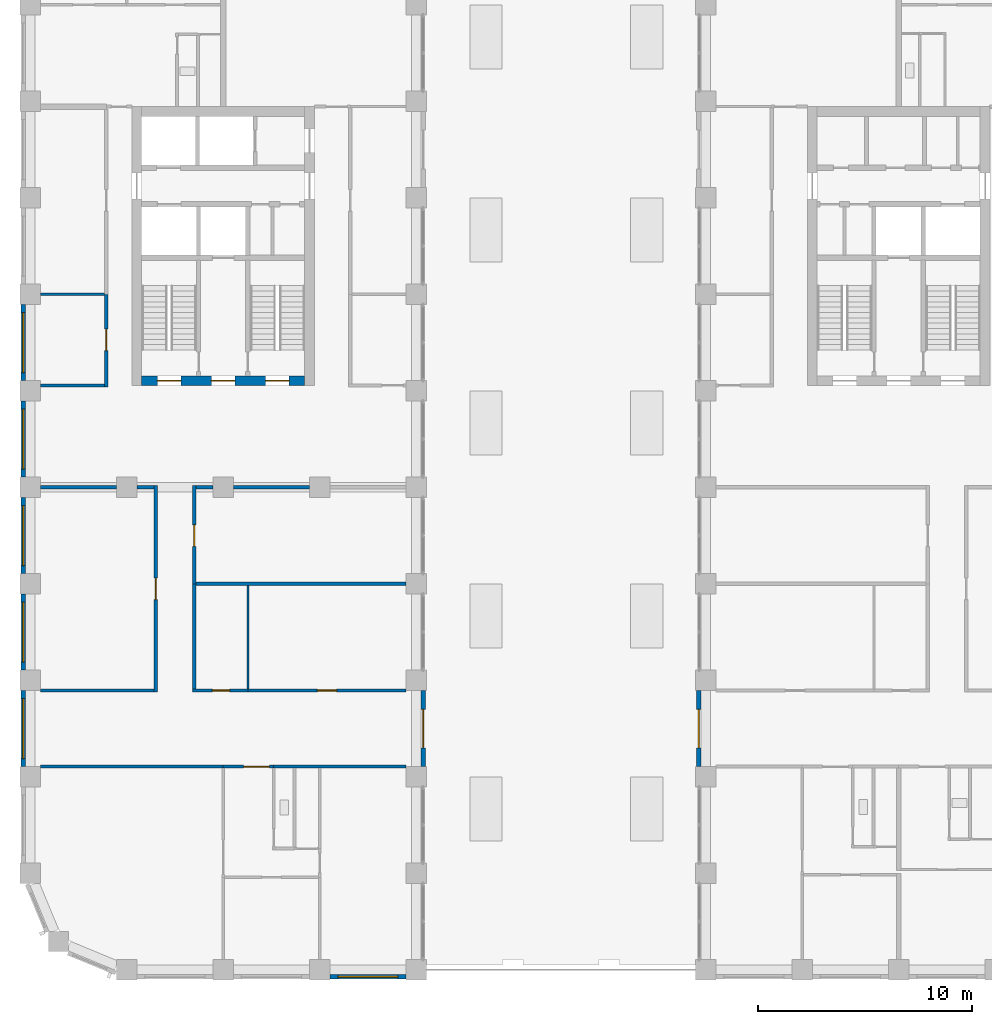
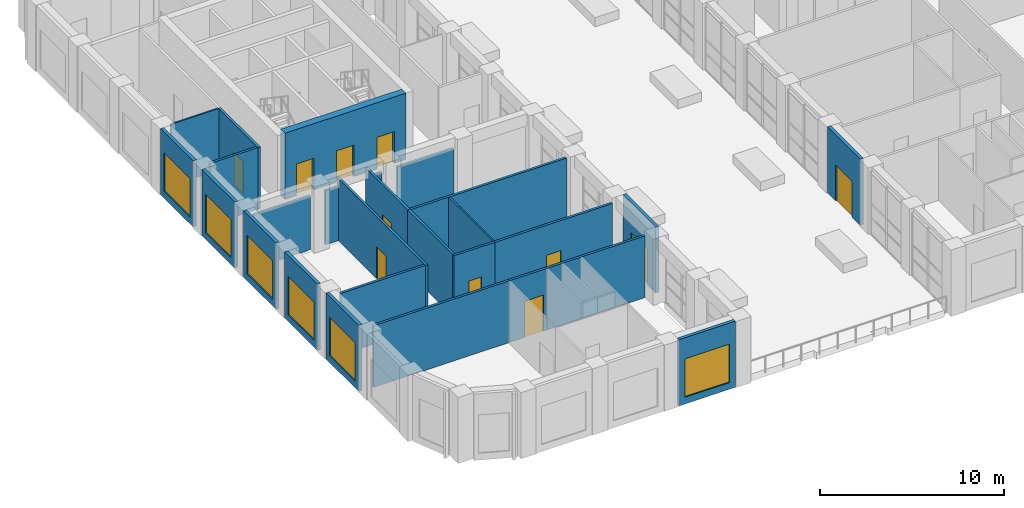
# One storey, part 10 of 20: 27 walls, 11 doors, 6 windows, 17 openings.
"""IFC4 building model written with IfcOpenShell, lengths in metres."""

from ifc_helpers import new_model, si_unit, direction, frame, frame_2d, origin, place, context, subcontext, project, spatial, rectangle, extrude, material, layer, layer_set, type_object, element, fill, save


model = new_model("IFC4")

# Units and contexts
model_context = context("Model", 3, precision=1e-05, world=origin(), true_north=direction((0.0, 1.0)))
body_context = subcontext(model_context, "Body", "Model", "MODEL_VIEW")
ifc_project = project(units=[si_unit("LENGTHUNIT", "METRE"), si_unit("AREAUNIT", "SQUARE_METRE"), si_unit("VOLUMEUNIT", "CUBIC_METRE"), si_unit("PLANEANGLEUNIT", "RADIAN"), si_unit("MASSUNIT", "GRAM", prefix="KILO")], contexts=[model_context])

# Site, building, storey
site_placement = place(None, origin())
site = spatial("IfcSite", under=ifc_project, at=site_placement, CompositionType="ELEMENT")
building_placement = place(site_placement, origin())
building = spatial("IfcBuilding", under=site, at=building_placement, Name="Girih Gate Residences", CompositionType="ELEMENT")
storey_placement = place(building_placement, frame((0.0, 0.0, 146.199951171875)))
storey = spatial("IfcBuildingStorey", under=building, at=storey_placement, Name="L41", CompositionType="ELEMENT", Elevation=146.199951171875)

# Wall
ifc_material_1 = material(Name="Gypsum board on steel studs", Category="steel")
ifc_layer_1 = layer(ifc_material_1, 0.14990234375)
ifc_layer_set_1 = layer_set([ifc_layer_1], Name="Compartment wall 150 mm")
wall_type_1 = type_object("IfcWallType", Name="Compartment wall 150 mm", PredefinedType="PARTITIONING", material=ifc_layer_set_1)
wall_1_placement = place(storey_placement, frame((11.35009765625, 9.47509765625, 0.0), z_axis=(0.0, 0.0, 1.0), x_axis=(1.0, 0.0, 0.0)))
element("IfcWall", 1, at=wall_1_placement, inside=storey, type_object=wall_type_1, Name="L41 partition", PredefinedType="PARTITIONING", context=body_context, shape_type="SweptSolid", body=[
    extrude(rectangle(XDim=6.1748046875, YDim=0.14990234375, at=frame_2d((3.08740234375, 0.0))), origin(), (0.0, 0.0, 1.0), 4.10009765625),
])

# Wall, opening, door
wall_2_placement = place(storey_placement, frame((11.35009765625, 9.47509765625, 0.0), z_axis=(0.0, 0.0, 1.0), x_axis=(-1.0, 0.0, 0.0)))
wall_2 = element("IfcWall", 2, at=wall_2_placement, inside=storey, type_object=wall_type_1, Name="L41 partition", PredefinedType="PARTITIONING", context=body_context, shape_type="SweptSolid", body=[
    extrude(rectangle(XDim=2.35009765625, YDim=0.14990234375, at=frame_2d((1.175048828125, 0.0))), origin(), (0.0, 0.0, 1.0), 4.10009765625),
])
opening_1_placement = place(wall_2_placement, frame((0.199951171875, 0.0, 0.0)))
opening_1 = element("IfcOpeningElement", 3, at=opening_1_placement, cuts=wall_2, Name="Opening A41-006", PredefinedType="OPENING", context=body_context, shape_type="SweptSolid", body=[
    extrude(rectangle(XDim=1.199951171875, YDim=2.39990234375, at=frame_2d((0.60009765625, 1.199951171875))), frame((0.0, 0.0849609375, 0.0), z_axis=(0.0, -1.0, 0.0), x_axis=(1.0, 0.0, 0.0)), (0.0, 0.0, 1.0), 0.169921875),
])
ifc_material_2 = material(Name="Timber, fire-rated core", Category="wood")
door_type_1 = type_object("IfcDoorType", Name="Villa entrance door 1200x2400 FD30S", OperationType="NOTDEFINED", PredefinedType="DOOR", material=ifc_material_2)
door_1_placement = place(opening_1_placement, origin())
door_1 = element("IfcDoor", 4, at=door_1_placement, inside=storey, type_object=door_type_1, Name="Door A41-006", OperationType="SINGLE_SWING_LEFT", OverallHeight=2.39990234375, OverallWidth=1.199951171875, PredefinedType="DOOR", context=body_context, shape_type="SweptSolid", body=[
    extrude(rectangle(XDim=1.199951171875, YDim=2.39990234375, at=frame_2d((0.60009765625, 1.199951171875))), frame((0.0, 0.02490234375, 0.0), z_axis=(0.0, -1.0, 0.0), x_axis=(1.0, 0.0, 0.0)), (0.0, 0.0, 1.0), 0.050048828125),
])
fill(opening_1, door_1)

# Walls
wall_3_placement = place(storey_placement, frame((0.47509765625, 9.47509765625, 0.0), z_axis=(0.0, 0.0, 1.0), x_axis=(1.0, 0.0, 0.0)))
element("IfcWall", 5, at=wall_3_placement, inside=storey, type_object=wall_type_1, Name="L41 partition", PredefinedType="PARTITIONING", context=body_context, shape_type="SweptSolid", body=[
    extrude(rectangle(XDim=8.52490234375, YDim=0.14990234375, at=frame_2d((4.262451171875, 0.0))), origin(), (0.0, 0.0, 1.0), 4.10009765625),
])
wall_4_placement = place(storey_placement, frame((7.72509765625, 22.5, 0.0), z_axis=(0.0, 0.0, 1.0), x_axis=(1.0, 0.0, 0.0)))
element("IfcWall", 6, at=wall_4_placement, inside=storey, type_object=wall_type_1, Name="L41 partition", PredefinedType="PARTITIONING", context=body_context, shape_type="SweptSolid", body=[
    extrude(rectangle(XDim=0.7998046875, YDim=0.14990234375, at=frame_2d((0.39990234375, 0.0))), origin(), (0.0, 0.0, 1.0), 3.580078125),
])
wall_5_placement = place(storey_placement, frame((9.47509765625, 22.5, 0.0), z_axis=(0.0, 0.0, 1.0), x_axis=(1.0, 0.0, 0.0)))
element("IfcWall", 7, at=wall_5_placement, inside=storey, type_object=wall_type_1, Name="L41 partition", PredefinedType="PARTITIONING", context=body_context, shape_type="SweptSolid", body=[
    extrude(rectangle(XDim=3.5498046875, YDim=0.14990234375, at=frame_2d((1.77490234375, 0.0))), origin(), (0.0, 0.0, 1.0), 3.580078125),
])

# Wall, opening, door
wall_6_placement = place(storey_placement, frame((7.64990234375, 22.574951171875, 0.0), z_axis=(0.0, 0.0, 1.0), x_axis=(0.0, -1.0, 0.0)))
wall_6 = element("IfcWall", 8, at=wall_6_placement, inside=storey, type_object=wall_type_1, Name="L41 partition", PredefinedType="PARTITIONING", context=body_context, shape_type="SweptSolid", body=[
    extrude(rectangle(XDim=4.574951171875, YDim=0.14990234375, at=frame_2d((2.28759765625, 0.0))), origin(), (0.0, 0.0, 1.0), 4.10009765625),
])
opening_2_placement = place(wall_6_placement, frame((1.824951171875, 0.0, 0.0)))
opening_2 = element("IfcOpeningElement", 9, at=opening_2_placement, cuts=wall_6, Name="Opening A41-028", PredefinedType="OPENING", context=body_context, shape_type="SweptSolid", body=[
    extrude(rectangle(XDim=1.0, YDim=2.10009765625, at=frame_2d((0.5, 1.050048828125))), frame((0.0, 0.0849609375, 0.0), z_axis=(0.0, -1.0, 0.0), x_axis=(1.0, 0.0, 0.0)), (0.0, 0.0, 1.0), 0.169921875),
])
door_type_2 = type_object("IfcDoorType", Name="Amenity room door 1000x2100 FD30S", OperationType="NOTDEFINED", PredefinedType="DOOR", material=ifc_material_2)
door_2_placement = place(opening_2_placement, origin())
door_2 = element("IfcDoor", 10, at=door_2_placement, inside=storey, type_object=door_type_2, Name="Door A41-028", OperationType="SINGLE_SWING_RIGHT", OverallHeight=2.10009765625, OverallWidth=1.0, PredefinedType="DOOR", context=body_context, shape_type="SweptSolid", body=[
    extrude(rectangle(XDim=1.0, YDim=2.10009765625, at=frame_2d((0.5, 1.050048828125))), frame((0.0, 0.02490234375, 0.0), z_axis=(0.0, -1.0, 0.0), x_axis=(1.0, 0.0, 0.0)), (0.0, 0.0, 1.0), 0.050048828125),
])
fill(opening_2, door_2)

# Wall
wall_7_placement = place(storey_placement, frame((7.72509765625, 18.0, 0.0), z_axis=(0.0, 0.0, 1.0), x_axis=(1.0, 0.0, 0.0)))
element("IfcWall", 11, at=wall_7_placement, inside=storey, type_object=wall_type_1, Name="L41 partition", PredefinedType="PARTITIONING", context=body_context, shape_type="SweptSolid", body=[
    extrude(rectangle(XDim=9.7998046875, YDim=0.14990234375, at=frame_2d((4.89990234375, 0.0))), origin(), (0.0, 0.0, 1.0), 4.10009765625),
])

# Wall, opening, door
wall_8_placement = place(storey_placement, frame((10.14990234375, 13.02490234375, 0.0), z_axis=(0.0, 0.0, 1.0), x_axis=(1.0, 0.0, 0.0)))
wall_8 = element("IfcWall", 12, at=wall_8_placement, inside=storey, type_object=wall_type_1, Name="L41 partition", PredefinedType="PARTITIONING", context=body_context, shape_type="SweptSolid", body=[
    extrude(rectangle(XDim=7.375, YDim=0.14990234375, at=frame_2d((3.6875, 0.0))), origin(), (0.0, 0.0, 1.0), 4.10009765625),
])
opening_3_placement = place(wall_8_placement, frame((3.237548828125, 0.0, 0.0)))
opening_3 = element("IfcOpeningElement", 13, at=opening_3_placement, cuts=wall_8, Name="Opening A41-031", PredefinedType="OPENING", context=body_context, shape_type="SweptSolid", body=[
    extrude(rectangle(XDim=0.89990234375, YDim=2.10009765625, at=frame_2d((0.449951171875, 1.050048828125))), frame((0.0, 0.0849609375, 0.0), z_axis=(0.0, -1.0, 0.0), x_axis=(1.0, 0.0, 0.0)), (0.0, 0.0, 1.0), 0.169921875),
])
ifc_material_3 = material(Name="Timber", Category="wood")
door_type_3 = type_object("IfcDoorType", Name="Service room door 900x2100", OperationType="NOTDEFINED", PredefinedType="DOOR", material=ifc_material_3)
door_3_placement = place(opening_3_placement, origin())
door_3 = element("IfcDoor", 14, at=door_3_placement, inside=storey, type_object=door_type_3, Name="Door A41-031", OperationType="SINGLE_SWING_LEFT", OverallHeight=2.10009765625, OverallWidth=0.89990234375, PredefinedType="DOOR", context=body_context, shape_type="SweptSolid", body=[
    extrude(rectangle(XDim=0.89990234375, YDim=2.10009765625, at=frame_2d((0.449951171875, 1.050048828125))), frame((0.0, 0.02490234375, 0.0), z_axis=(0.0, -1.0, 0.0), x_axis=(1.0, 0.0, 0.0)), (0.0, 0.0, 1.0), 0.050048828125),
])
fill(opening_3, door_3)

wall_9_placement = place(storey_placement, frame((7.574951171875, 13.02490234375, 0.0), z_axis=(0.0, 0.0, 1.0), x_axis=(1.0, 0.0, 0.0)))
wall_9 = element("IfcWall", 15, at=wall_9_placement, inside=storey, type_object=wall_type_1, Name="L41 partition", PredefinedType="PARTITIONING", context=body_context, shape_type="SweptSolid", body=[
    extrude(rectangle(XDim=2.574951171875, YDim=0.14990234375, at=frame_2d((1.28759765625, 0.0))), origin(), (0.0, 0.0, 1.0), 4.10009765625),
])
opening_4_placement = place(wall_9_placement, frame((0.925048828125, 0.0, 0.0)))
opening_4 = element("IfcOpeningElement", 16, at=opening_4_placement, cuts=wall_9, Name="Opening A41-032", PredefinedType="OPENING", context=body_context, shape_type="SweptSolid", body=[
    extrude(rectangle(XDim=0.800048828125, YDim=2.10009765625, at=frame_2d((0.39990234375, 1.050048828125))), frame((0.0, 0.0849609375, 0.0), z_axis=(0.0, -1.0, 0.0), x_axis=(1.0, 0.0, 0.0)), (0.0, 0.0, 1.0), 0.169921875),
])
door_type_4 = type_object("IfcDoorType", Name="Bathroom door 800x2100", OperationType="NOTDEFINED", PredefinedType="DOOR", material=ifc_material_3)
door_4_placement = place(opening_4_placement, origin())
door_4 = element("IfcDoor", 17, at=door_4_placement, inside=storey, type_object=door_type_4, Name="Door A41-032", OperationType="SINGLE_SWING_RIGHT", OverallHeight=2.10009765625, OverallWidth=0.800048828125, PredefinedType="DOOR", context=body_context, shape_type="SweptSolid", body=[
    extrude(rectangle(XDim=0.800048828125, YDim=2.10009765625, at=frame_2d((0.39990234375, 1.050048828125))), frame((0.0, 0.02490234375, 0.0), z_axis=(0.0, -1.0, 0.0), x_axis=(1.0, 0.0, 0.0)), (0.0, 0.0, 1.0), 0.050048828125),
])
fill(opening_4, door_4)

# Walls
wall_10_placement = place(storey_placement, frame((0.47509765625, 13.02490234375, 0.0), z_axis=(0.0, 0.0, 1.0), x_axis=(1.0, 0.0, 0.0)))
element("IfcWall", 18, at=wall_10_placement, inside=storey, type_object=wall_type_1, Name="L41 partition", PredefinedType="PARTITIONING", context=body_context, shape_type="SweptSolid", body=[
    extrude(rectangle(XDim=5.2998046875, YDim=0.14990234375, at=frame_2d((2.64990234375, 0.0))), origin(), (0.0, 0.0, 1.0), 4.10009765625),
])
wall_11_placement = place(storey_placement, frame((0.47509765625, 27.25, 0.0), z_axis=(0.0, 0.0, 1.0), x_axis=(1.0, 0.0, 0.0)))
element("IfcWall", 19, at=wall_11_placement, inside=storey, type_object=wall_type_1, Name="L41 partition", PredefinedType="PARTITIONING", context=body_context, shape_type="SweptSolid", body=[
    extrude(rectangle(XDim=3.0, YDim=0.14990234375, at=frame_2d((1.5, 0.0))), origin(), (0.0, 0.0, 1.0), 4.10009765625),
])

# Wall, opening, door
wall_12_placement = place(storey_placement, frame((3.550048828125, 27.175048828125, 0.0), z_axis=(0.0, 0.0, 1.0), x_axis=(0.0, 1.0, 0.0)))
wall_12 = element("IfcWall", 20, at=wall_12_placement, inside=storey, type_object=wall_type_1, Name="L41 partition", PredefinedType="PARTITIONING", context=body_context, shape_type="SweptSolid", body=[
    extrude(rectangle(XDim=4.324951171875, YDim=0.14990234375, at=frame_2d((2.16259765625, 0.0))), origin(), (0.0, 0.0, 1.0), 4.10009765625),
])
opening_5_placement = place(wall_12_placement, frame((1.699951171875, 0.0, 0.0)))
opening_5 = element("IfcOpeningElement", 21, at=opening_5_placement, cuts=wall_12, Name="Opening A41-041", PredefinedType="OPENING", context=body_context, shape_type="SweptSolid", body=[
    extrude(rectangle(XDim=1.0, YDim=2.10009765625, at=frame_2d((0.5, 1.050048828125))), frame((0.0, 0.0849609375, 0.0), z_axis=(0.0, -1.0, 0.0), x_axis=(1.0, 0.0, 0.0)), (0.0, 0.0, 1.0), 0.169921875),
])
door_5_placement = place(opening_5_placement, origin())
door_5 = element("IfcDoor", 22, at=door_5_placement, inside=storey, type_object=door_type_2, Name="Door A41-041", OperationType="SINGLE_SWING_RIGHT", OverallHeight=2.10009765625, OverallWidth=1.0, PredefinedType="DOOR", context=body_context, shape_type="SweptSolid", body=[
    extrude(rectangle(XDim=1.0, YDim=2.10009765625, at=frame_2d((0.5, 1.050048828125))), frame((0.0, 0.02490234375, 0.0), z_axis=(0.0, -1.0, 0.0), x_axis=(1.0, 0.0, 0.0)), (0.0, 0.0, 1.0), 0.050048828125),
])
fill(opening_5, door_5)

# Walls
wall_13_placement = place(storey_placement, frame((4.97509765625, 22.5, 0.0), z_axis=(0.0, 0.0, 1.0), x_axis=(1.0, 0.0, 0.0)))
element("IfcWall", 23, at=wall_13_placement, inside=storey, type_object=wall_type_1, Name="L41 partition", PredefinedType="PARTITIONING", context=body_context, shape_type="SweptSolid", body=[
    extrude(rectangle(XDim=0.7998046875, YDim=0.14990234375, at=frame_2d((0.39990234375, 0.0))), origin(), (0.0, 0.0, 1.0), 3.580078125),
])
wall_14_placement = place(storey_placement, frame((0.47509765625, 22.5, 0.0), z_axis=(0.0, 0.0, 1.0), x_axis=(1.0, 0.0, 0.0)))
element("IfcWall", 24, at=wall_14_placement, inside=storey, type_object=wall_type_1, Name="L41 partition", PredefinedType="PARTITIONING", context=body_context, shape_type="SweptSolid", body=[
    extrude(rectangle(XDim=3.5498046875, YDim=0.14990234375, at=frame_2d((1.77490234375, 0.0))), origin(), (0.0, 0.0, 1.0), 3.580078125),
])
wall_15_placement = place(storey_placement, frame((7.64990234375, 13.10009765625, 0.0), z_axis=(0.0, 0.0, 1.0), x_axis=(0.0, 1.0, 0.0)))
element("IfcWall", 25, at=wall_15_placement, inside=storey, type_object=wall_type_1, Name="L41 partition", PredefinedType="PARTITIONING", context=body_context, shape_type="SweptSolid", body=[
    extrude(rectangle(XDim=4.89990234375, YDim=0.14990234375, at=frame_2d((2.449951171875, 0.0))), origin(), (0.0, 0.0, 1.0), 4.10009765625),
])

# Wall, opening, door
wall_16_placement = place(storey_placement, frame((5.85009765625, 12.949951171875, 0.0), z_axis=(0.0, 0.0, 1.0), x_axis=(0.0, 1.0, 0.0)))
wall_16 = element("IfcWall", 26, at=wall_16_placement, inside=storey, type_object=wall_type_1, Name="L41 partition", PredefinedType="PARTITIONING", context=body_context, shape_type="SweptSolid", body=[
    extrude(rectangle(XDim=9.625, YDim=0.14990234375, at=frame_2d((4.8125, 0.0))), origin(), (0.0, 0.0, 1.0), 4.10009765625),
])
opening_6_placement = place(wall_16_placement, frame((4.3125, 0.0, 0.0)))
opening_6 = element("IfcOpeningElement", 27, at=opening_6_placement, cuts=wall_16, Name="Opening A41-044", PredefinedType="OPENING", context=body_context, shape_type="SweptSolid", body=[
    extrude(rectangle(XDim=1.0, YDim=2.10009765625, at=frame_2d((0.5, 1.050048828125))), frame((0.0, 0.0849609375, 0.0), z_axis=(0.0, -1.0, 0.0), x_axis=(1.0, 0.0, 0.0)), (0.0, 0.0, 1.0), 0.169921875),
])
door_6_placement = place(opening_6_placement, origin())
door_6 = element("IfcDoor", 28, at=door_6_placement, inside=storey, type_object=door_type_2, Name="Door A41-044", OperationType="SINGLE_SWING_RIGHT", OverallHeight=2.10009765625, OverallWidth=1.0, PredefinedType="DOOR", context=body_context, shape_type="SweptSolid", body=[
    extrude(rectangle(XDim=1.0, YDim=2.10009765625, at=frame_2d((0.5, 1.050048828125))), frame((0.0, 0.02490234375, 0.0), z_axis=(0.0, -1.0, 0.0), x_axis=(1.0, 0.0, 0.0)), (0.0, 0.0, 1.0), 0.050048828125),
])
fill(opening_6, door_6)

# Wall, openings, doors
ifc_material_4 = material(Name="Concrete C60/75", Category="concrete")
ifc_layer_2 = layer(ifc_material_4, 0.449951171875)
ifc_layer_set_2 = layer_set([ifc_layer_2], Name="Core wall RC 450 Concrete C60/75")
wall_type_2 = type_object("IfcWallType", Name="Core wall RC 450 Concrete C60/75", PredefinedType="SOLIDWALL", material=ifc_layer_set_2)
wall_17_placement = place(storey_placement, frame((5.199951171875, 27.47509765625, 0.0), z_axis=(0.0, 0.0, 1.0), x_axis=(1.0, 0.0, 0.0)))
wall_17 = element("IfcWall", 29, at=wall_17_placement, inside=storey, type_object=wall_type_2, Name="Core wall W-S L41", PredefinedType="SOLIDWALL", context=body_context, shape_type="SweptSolid", body=[
    extrude(rectangle(XDim=7.60009765625, YDim=0.449951171875, at=frame_2d((3.800048828125, 0.0))), origin(), (0.0, 0.0, 1.0), 4.400146484375),
])
opening_7_placement = place(wall_17_placement, frame((0.72509765625, 0.0, 0.0)))
opening_7 = element("IfcOpeningElement", 30, at=opening_7_placement, cuts=wall_17, Name="Opening D-L41-W-009", PredefinedType="OPENING", context=body_context, shape_type="SweptSolid", body=[
    extrude(rectangle(XDim=1.10009765625, YDim=2.10009765625, at=frame_2d((0.550048828125, 1.050048828125))), frame((0.0, 0.23486328125, 0.0), z_axis=(0.0, -1.0, 0.0), x_axis=(1.0, 0.0, 0.0)), (0.0, 0.0, 1.0), 0.469970703125),
])
opening_8_placement = place(wall_17_placement, frame((3.25, 0.0, 0.0)))
opening_8 = element("IfcOpeningElement", 31, at=opening_8_placement, cuts=wall_17, Name="Opening D-L41-W-010", PredefinedType="OPENING", context=body_context, shape_type="SweptSolid", body=[
    extrude(rectangle(XDim=1.10009765625, YDim=2.10009765625, at=frame_2d((0.550048828125, 1.050048828125))), frame((0.0, 0.23486328125, 0.0), z_axis=(0.0, -1.0, 0.0), x_axis=(1.0, 0.0, 0.0)), (0.0, 0.0, 1.0), 0.469970703125),
])
opening_9_placement = place(wall_17_placement, frame((5.77490234375, 0.0, 0.0)))
opening_9 = element("IfcOpeningElement", 32, at=opening_9_placement, cuts=wall_17, Name="Opening D-L41-W-011", PredefinedType="OPENING", context=body_context, shape_type="SweptSolid", body=[
    extrude(rectangle(XDim=1.10009765625, YDim=2.10009765625, at=frame_2d((0.550048828125, 1.050048828125))), frame((0.0, 0.23486328125, 0.0), z_axis=(0.0, -1.0, 0.0), x_axis=(1.0, 0.0, 0.0)), (0.0, 0.0, 1.0), 0.469970703125),
])
ifc_material_5 = material(Name="Painted steel, fire-resisting", Category="steel")
door_type_5 = type_object("IfcDoorType", Name="Fire door 1100x2100", OperationType="SINGLE_SWING_LEFT", PredefinedType="DOOR", material=ifc_material_5)
door_7_placement = place(opening_7_placement, origin())
door_7 = element("IfcDoor", 33, at=door_7_placement, inside=storey, type_object=door_type_5, Name="L41 W core door sta-out", OperationType="SINGLE_SWING_LEFT", OverallHeight=2.10009765625, OverallWidth=1.10009765625, PredefinedType="DOOR", context=body_context, shape_type="SweptSolid", body=[
    extrude(rectangle(XDim=1.10009765625, YDim=2.10009765625, at=frame_2d((0.550048828125, 1.050048828125))), frame((0.0, 0.02490234375, 0.0), z_axis=(0.0, -1.0, 0.0), x_axis=(1.0, 0.0, 0.0)), (0.0, 0.0, 1.0), 0.050048828125),
])
fill(opening_7, door_7)
door_8_placement = place(opening_8_placement, origin())
door_8 = element("IfcDoor", 34, at=door_8_placement, inside=storey, type_object=door_type_5, Name="L41 W core door ffl-out", OperationType="SINGLE_SWING_LEFT", OverallHeight=2.10009765625, OverallWidth=1.10009765625, PredefinedType="DOOR", context=body_context, shape_type="SweptSolid", body=[
    extrude(rectangle(XDim=1.10009765625, YDim=2.10009765625, at=frame_2d((0.550048828125, 1.050048828125))), frame((0.0, 0.02490234375, 0.0), z_axis=(0.0, -1.0, 0.0), x_axis=(1.0, 0.0, 0.0)), (0.0, 0.0, 1.0), 0.050048828125),
])
fill(opening_8, door_8)
door_9_placement = place(opening_9_placement, origin())
door_9 = element("IfcDoor", 35, at=door_9_placement, inside=storey, type_object=door_type_5, Name="L41 W core door stb-out", OperationType="SINGLE_SWING_LEFT", OverallHeight=2.10009765625, OverallWidth=1.10009765625, PredefinedType="DOOR", context=body_context, shape_type="SweptSolid", body=[
    extrude(rectangle(XDim=1.10009765625, YDim=2.10009765625, at=frame_2d((0.550048828125, 1.050048828125))), frame((0.0, 0.02490234375, 0.0), z_axis=(0.0, -1.0, 0.0), x_axis=(1.0, 0.0, 0.0)), (0.0, 0.0, 1.0), 0.050048828125),
])
fill(opening_9, door_9)

# Walls
ifc_layer_3 = layer(ifc_material_1, 0.10009765625)
ifc_layer_set_3 = layer_set([ifc_layer_3], Name="Partition 100 mm")
wall_type_3 = type_object("IfcWallType", Name="Partition 100 mm", PredefinedType="PARTITIONING", material=ifc_layer_set_3)
wall_18_placement = place(storey_placement, frame((10.14990234375, 13.10009765625, 0.0), z_axis=(0.0, 0.0, 1.0), x_axis=(0.0, 1.0, 0.0)))
element("IfcWall", 36, at=wall_18_placement, inside=storey, type_object=wall_type_3, Name="L41 partition", PredefinedType="PARTITIONING", context=body_context, shape_type="SweptSolid", body=[
    extrude(rectangle(XDim=4.824951171875, YDim=0.10009765625, at=frame_2d((2.41259765625, 0.0))), origin(), (0.0, 0.0, 1.0), 4.10009765625),
])
wall_19_placement = place(storey_placement, frame((0.47509765625, 31.5, 0.0), z_axis=(0.0, 0.0, 1.0), x_axis=(1.0, 0.0, 0.0)))
element("IfcWall", 37, at=wall_19_placement, inside=storey, type_object=wall_type_3, Name="L41 partition", PredefinedType="PARTITIONING", context=body_context, shape_type="SweptSolid", body=[
    extrude(rectangle(XDim=3.0, YDim=0.10009765625, at=frame_2d((1.5, 0.0))), origin(), (0.0, 0.0, 1.0), 4.10009765625),
])

# Wall, opening, window
ifc_material_6 = material(Name="Precast concrete C50/60", Category="concrete")
ifc_layer_4 = layer(ifc_material_6, 0.06005859375, Name="Outer leaf")
ifc_material_7 = material(Name="Rigid PIR insulation")
ifc_layer_5 = layer(ifc_material_7, 0.090087890625, Name="Insulation")
ifc_material_8 = material(Name="Precast concrete C40/50", Category="concrete")
ifc_layer_6 = layer(ifc_material_8, 0.050048828125, Name="Inner leaf")
ifc_layer_set_4 = layer_set([ifc_layer_4, ifc_layer_5, ifc_layer_6], Name="Precast concrete C50/60 external wall 200")
wall_type_4 = type_object("IfcWallType", Name="Precast concrete C50/60 external wall 200", PredefinedType="SOLIDWALL", material=ifc_layer_set_4)
wall_20_placement = place(storey_placement, frame((-0.324951171875, 27.47509765625, 0.0), z_axis=(0.0, 0.0, 1.0), x_axis=(0.0, 1.0, 0.0)))
wall_20 = element("IfcWall", 38, at=wall_20_placement, inside=storey, type_object=wall_type_4, Name="External wall W0000_0450.3", PredefinedType="SOLIDWALL", context=body_context, shape_type="SweptSolid", body=[
    extrude(rectangle(XDim=3.5498046875, YDim=0.199951171875, at=frame_2d((1.77490234375, 0.0))), origin(), (0.0, 0.0, 1.0), 4.400146484375),
])
opening_10_placement = place(wall_20_placement, frame((0.375, 0.0, 0.449951171875)))
opening_10 = element("IfcOpeningElement", 39, at=opening_10_placement, cuts=wall_20, Name="Opening W-6A", PredefinedType="OPENING", context=body_context, shape_type="SweptSolid", body=[
    extrude(rectangle(XDim=2.800048828125, YDim=2.550048828125, at=frame_2d((1.39990234375, 1.27490234375))), frame((0.0, 0.10986328125, 0.0), z_axis=(0.0, -1.0, 0.0), x_axis=(1.0, 0.0, 0.0)), (0.0, 0.0, 1.0), 0.219970703125),
])
ifc_material_9 = material(Name="Double glazing in aluminium frame", Category="aluminium")
window_type = type_object("IfcWindowType", Name="Window W-6A 2800x2550", PartitioningType="SINGLE_PANEL", PredefinedType="WINDOW", material=ifc_material_9)
window_1_placement = place(opening_10_placement, origin())
window_1 = element("IfcWindow", 40, at=window_1_placement, inside=storey, type_object=window_type, Name="Window W-6A W0000_0450.3", OverallHeight=2.550048828125, OverallWidth=2.800048828125, PartitioningType="SINGLE_PANEL", PredefinedType="WINDOW", context=body_context, shape_type="SweptSolid", body=[
    extrude(rectangle(XDim=2.800048828125, YDim=2.550048828125, at=frame_2d((1.39990234375, 1.27490234375))), frame((0.0, 0.030029296875, 0.0), z_axis=(0.0, -1.0, 0.0), x_axis=(1.0, 0.0, 0.0)), (0.0, 0.0, 1.0), 0.06005859375),
])
fill(opening_10, window_1)

wall_21_placement = place(storey_placement, frame((-0.324951171875, 22.97509765625, 0.0), z_axis=(0.0, 0.0, 1.0), x_axis=(0.0, 1.0, 0.0)))
wall_21 = element("IfcWall", 41, at=wall_21_placement, inside=storey, type_object=wall_type_4, Name="External wall W0000_0450.4", PredefinedType="SOLIDWALL", context=body_context, shape_type="SweptSolid", body=[
    extrude(rectangle(XDim=3.5498046875, YDim=0.199951171875, at=frame_2d((1.77490234375, 0.0))), origin(), (0.0, 0.0, 1.0), 4.400146484375),
])
opening_11_placement = place(wall_21_placement, frame((0.375, 0.0, 0.449951171875)))
opening_11 = element("IfcOpeningElement", 42, at=opening_11_placement, cuts=wall_21, Name="Opening W-6A", PredefinedType="OPENING", context=body_context, shape_type="SweptSolid", body=[
    extrude(rectangle(XDim=2.800048828125, YDim=2.550048828125, at=frame_2d((1.39990234375, 1.27490234375))), frame((0.0, 0.10986328125, 0.0), z_axis=(0.0, -1.0, 0.0), x_axis=(1.0, 0.0, 0.0)), (0.0, 0.0, 1.0), 0.219970703125),
])
window_2_placement = place(opening_11_placement, origin())
window_2 = element("IfcWindow", 43, at=window_2_placement, inside=storey, type_object=window_type, Name="Window W-6A W0000_0450.4", OverallHeight=2.550048828125, OverallWidth=2.800048828125, PartitioningType="SINGLE_PANEL", PredefinedType="WINDOW", context=body_context, shape_type="SweptSolid", body=[
    extrude(rectangle(XDim=2.800048828125, YDim=2.550048828125, at=frame_2d((1.39990234375, 1.27490234375))), frame((0.0, 0.030029296875, 0.0), z_axis=(0.0, -1.0, 0.0), x_axis=(1.0, 0.0, 0.0)), (0.0, 0.0, 1.0), 0.06005859375),
])
fill(opening_11, window_2)

wall_22_placement = place(storey_placement, frame((-0.324951171875, 18.47509765625, 0.0), z_axis=(0.0, 0.0, 1.0), x_axis=(0.0, 1.0, 0.0)))
wall_22 = element("IfcWall", 44, at=wall_22_placement, inside=storey, type_object=wall_type_4, Name="External wall W0000_0450.5", PredefinedType="SOLIDWALL", context=body_context, shape_type="SweptSolid", body=[
    extrude(rectangle(XDim=3.5498046875, YDim=0.199951171875, at=frame_2d((1.77490234375, 0.0))), origin(), (0.0, 0.0, 1.0), 4.400146484375),
])
opening_12_placement = place(wall_22_placement, frame((0.375, 0.0, 0.449951171875)))
opening_12 = element("IfcOpeningElement", 45, at=opening_12_placement, cuts=wall_22, Name="Opening W-6A", PredefinedType="OPENING", context=body_context, shape_type="SweptSolid", body=[
    extrude(rectangle(XDim=2.800048828125, YDim=2.550048828125, at=frame_2d((1.39990234375, 1.27490234375))), frame((0.0, 0.10986328125, 0.0), z_axis=(0.0, -1.0, 0.0), x_axis=(1.0, 0.0, 0.0)), (0.0, 0.0, 1.0), 0.219970703125),
])
window_3_placement = place(opening_12_placement, origin())
window_3 = element("IfcWindow", 46, at=window_3_placement, inside=storey, type_object=window_type, Name="Window W-6A W0000_0450.5", OverallHeight=2.550048828125, OverallWidth=2.800048828125, PartitioningType="SINGLE_PANEL", PredefinedType="WINDOW", context=body_context, shape_type="SweptSolid", body=[
    extrude(rectangle(XDim=2.800048828125, YDim=2.550048828125, at=frame_2d((1.39990234375, 1.27490234375))), frame((0.0, 0.030029296875, 0.0), z_axis=(0.0, -1.0, 0.0), x_axis=(1.0, 0.0, 0.0)), (0.0, 0.0, 1.0), 0.06005859375),
])
fill(opening_12, window_3)

wall_23_placement = place(storey_placement, frame((-0.324951171875, 13.97509765625, 0.0), z_axis=(0.0, 0.0, 1.0), x_axis=(0.0, 1.0, 0.0)))
wall_23 = element("IfcWall", 47, at=wall_23_placement, inside=storey, type_object=wall_type_4, Name="External wall W0000_0450.6", PredefinedType="SOLIDWALL", context=body_context, shape_type="SweptSolid", body=[
    extrude(rectangle(XDim=3.5498046875, YDim=0.199951171875, at=frame_2d((1.77490234375, 0.0))), origin(), (0.0, 0.0, 1.0), 4.400146484375),
])
opening_13_placement = place(wall_23_placement, frame((0.375, 0.0, 0.449951171875)))
opening_13 = element("IfcOpeningElement", 48, at=opening_13_placement, cuts=wall_23, Name="Opening W-6A", PredefinedType="OPENING", context=body_context, shape_type="SweptSolid", body=[
    extrude(rectangle(XDim=2.800048828125, YDim=2.550048828125, at=frame_2d((1.39990234375, 1.27490234375))), frame((0.0, 0.10986328125, 0.0), z_axis=(0.0, -1.0, 0.0), x_axis=(1.0, 0.0, 0.0)), (0.0, 0.0, 1.0), 0.219970703125),
])
window_4_placement = place(opening_13_placement, origin())
window_4 = element("IfcWindow", 49, at=window_4_placement, inside=storey, type_object=window_type, Name="Window W-6A W0000_0450.6", OverallHeight=2.550048828125, OverallWidth=2.800048828125, PartitioningType="SINGLE_PANEL", PredefinedType="WINDOW", context=body_context, shape_type="SweptSolid", body=[
    extrude(rectangle(XDim=2.800048828125, YDim=2.550048828125, at=frame_2d((1.39990234375, 1.27490234375))), frame((0.0, 0.030029296875, 0.0), z_axis=(0.0, -1.0, 0.0), x_axis=(1.0, 0.0, 0.0)), (0.0, 0.0, 1.0), 0.06005859375),
])
fill(opening_13, window_4)

wall_24_placement = place(storey_placement, frame((-0.324951171875, 9.47509765625, 0.0), z_axis=(0.0, 0.0, 1.0), x_axis=(0.0, 1.0, 0.0)))
wall_24 = element("IfcWall", 50, at=wall_24_placement, inside=storey, type_object=wall_type_4, Name="External wall W0000_0450.7", PredefinedType="SOLIDWALL", context=body_context, shape_type="SweptSolid", body=[
    extrude(rectangle(XDim=3.5498046875, YDim=0.199951171875, at=frame_2d((1.77490234375, 0.0))), origin(), (0.0, 0.0, 1.0), 4.400146484375),
])
opening_14_placement = place(wall_24_placement, frame((0.375, 0.0, 0.449951171875)))
opening_14 = element("IfcOpeningElement", 51, at=opening_14_placement, cuts=wall_24, Name="Opening W-6A", PredefinedType="OPENING", context=body_context, shape_type="SweptSolid", body=[
    extrude(rectangle(XDim=2.800048828125, YDim=2.550048828125, at=frame_2d((1.39990234375, 1.27490234375))), frame((0.0, 0.10986328125, 0.0), z_axis=(0.0, -1.0, 0.0), x_axis=(1.0, 0.0, 0.0)), (0.0, 0.0, 1.0), 0.219970703125),
])
window_5_placement = place(opening_14_placement, origin())
window_5 = element("IfcWindow", 52, at=window_5_placement, inside=storey, type_object=window_type, Name="Window W-6A W0000_0450.7", OverallHeight=2.550048828125, OverallWidth=2.800048828125, PartitioningType="SINGLE_PANEL", PredefinedType="WINDOW", context=body_context, shape_type="SweptSolid", body=[
    extrude(rectangle(XDim=2.800048828125, YDim=2.550048828125, at=frame_2d((1.39990234375, 1.27490234375))), frame((0.0, 0.030029296875, 0.0), z_axis=(0.0, -1.0, 0.0), x_axis=(1.0, 0.0, 0.0)), (0.0, 0.0, 1.0), 0.06005859375),
])
fill(opening_14, window_5)

wall_25_placement = place(storey_placement, frame((17.52490234375, -0.324951171875, 0.0), z_axis=(0.0, 0.0, 1.0), x_axis=(-1.0, 0.0, 0.0)))
wall_25 = element("IfcWall", 53, at=wall_25_placement, inside=storey, type_object=wall_type_4, Name="External wall S0045_0000.2", PredefinedType="SOLIDWALL", context=body_context, shape_type="SweptSolid", body=[
    extrude(rectangle(XDim=3.5498046875, YDim=0.199951171875, at=frame_2d((1.77490234375, 0.0))), origin(), (0.0, 0.0, 1.0), 4.400146484375),
])
opening_15_placement = place(wall_25_placement, frame((0.375, 0.0, 0.449951171875)))
opening_15 = element("IfcOpeningElement", 54, at=opening_15_placement, cuts=wall_25, Name="Opening W-6A", PredefinedType="OPENING", context=body_context, shape_type="SweptSolid", body=[
    extrude(rectangle(XDim=2.800048828125, YDim=2.550048828125, at=frame_2d((1.39990234375, 1.27490234375))), frame((0.0, 0.10986328125, 0.0), z_axis=(0.0, -1.0, 0.0), x_axis=(1.0, 0.0, 0.0)), (0.0, 0.0, 1.0), 0.219970703125),
])
window_6_placement = place(opening_15_placement, origin())
window_6 = element("IfcWindow", 55, at=window_6_placement, inside=storey, type_object=window_type, Name="Window W-6A S0045_0000.2", OverallHeight=2.550048828125, OverallWidth=2.800048828125, PartitioningType="SINGLE_PANEL", PredefinedType="WINDOW", context=body_context, shape_type="SweptSolid", body=[
    extrude(rectangle(XDim=2.800048828125, YDim=2.550048828125, at=frame_2d((1.39990234375, 1.27490234375))), frame((0.0, 0.030029296875, 0.0), z_axis=(0.0, -1.0, 0.0), x_axis=(1.0, 0.0, 0.0)), (0.0, 0.0, 1.0), 0.06005859375),
])
fill(opening_15, window_6)

# Wall, opening, door
wall_26_placement = place(storey_placement, frame((18.324951171875, 13.02490234375, 0.0), z_axis=(0.0, 0.0, 1.0), x_axis=(0.0, -1.0, 0.0)))
wall_26 = element("IfcWall", 56, at=wall_26_placement, inside=storey, type_object=wall_type_4, Name="External wall E0180_0000.2", PredefinedType="SOLIDWALL", context=body_context, shape_type="SweptSolid", body=[
    extrude(rectangle(XDim=3.5498046875, YDim=0.199951171875, at=frame_2d((1.77490234375, 0.0))), origin(), (0.0, 0.0, 1.0), 4.400146484375),
])
opening_16_placement = place(wall_26_placement, frame((0.875, 0.0, 0.0)))
opening_16 = element("IfcOpeningElement", 57, at=opening_16_placement, cuts=wall_26, Name="Opening TD-1", PredefinedType="OPENING", context=body_context, shape_type="SweptSolid", body=[
    extrude(rectangle(XDim=1.800048828125, YDim=2.39990234375, at=frame_2d((0.89990234375, 1.199951171875))), frame((0.0, 0.10986328125, 0.0), z_axis=(0.0, -1.0, 0.0), x_axis=(1.0, 0.0, 0.0)), (0.0, 0.0, 1.0), 0.219970703125),
])
ifc_material_10 = material(Name="Aluminium and glass terrace door", Category="aluminium")
door_type_6 = type_object("IfcDoorType", Name="Terrace door pair 1800x2400", OperationType="DOUBLE_DOOR_SINGLE_SWING", PredefinedType="DOOR", material=ifc_material_10)
door_10_placement = place(opening_16_placement, origin())
door_10 = element("IfcDoor", 58, at=door_10_placement, inside=storey, type_object=door_type_6, Name="Terrace door E0180_0000.2", OperationType="DOUBLE_DOOR_SINGLE_SWING", OverallHeight=2.39990234375, OverallWidth=1.800048828125, PredefinedType="DOOR", context=body_context, shape_type="SweptSolid", body=[
    extrude(rectangle(XDim=1.800048828125, YDim=2.39990234375, at=frame_2d((0.89990234375, 1.199951171875))), frame((0.0, 0.02490234375, 0.0), z_axis=(0.0, -1.0, 0.0), x_axis=(1.0, 0.0, 0.0)), (0.0, 0.0, 1.0), 0.050048828125),
])
fill(opening_16, door_10)

wall_27_placement = place(storey_placement, frame((31.175048828125, 9.47509765625, 0.0), z_axis=(0.0, 0.0, 1.0), x_axis=(0.0, 1.0, 0.0)))
wall_27 = element("IfcWall", 59, at=wall_27_placement, inside=storey, type_object=wall_type_4, Name="External wall W0315_0495.8", PredefinedType="SOLIDWALL", context=body_context, shape_type="SweptSolid", body=[
    extrude(rectangle(XDim=3.5498046875, YDim=0.199951171875, at=frame_2d((1.77490234375, 0.0))), origin(), (0.0, 0.0, 1.0), 4.400146484375),
])
opening_17_placement = place(wall_27_placement, frame((0.875, 0.0, 0.0)))
opening_17 = element("IfcOpeningElement", 60, at=opening_17_placement, cuts=wall_27, Name="Opening TD-1", PredefinedType="OPENING", context=body_context, shape_type="SweptSolid", body=[
    extrude(rectangle(XDim=1.800048828125, YDim=2.39990234375, at=frame_2d((0.89990234375, 1.199951171875))), frame((0.0, 0.10986328125, 0.0), z_axis=(0.0, -1.0, 0.0), x_axis=(1.0, 0.0, 0.0)), (0.0, 0.0, 1.0), 0.219970703125),
])
door_11_placement = place(opening_17_placement, origin())
door_11 = element("IfcDoor", 61, at=door_11_placement, inside=storey, type_object=door_type_6, Name="Terrace door W0315_0495.8", OperationType="DOUBLE_DOOR_SINGLE_SWING", OverallHeight=2.39990234375, OverallWidth=1.800048828125, PredefinedType="DOOR", context=body_context, shape_type="SweptSolid", body=[
    extrude(rectangle(XDim=1.800048828125, YDim=2.39990234375, at=frame_2d((0.89990234375, 1.199951171875))), frame((0.0, 0.02490234375, 0.0), z_axis=(0.0, -1.0, 0.0), x_axis=(1.0, 0.0, 0.0)), (0.0, 0.0, 1.0), 0.050048828125),
])
fill(opening_17, door_11)

save(model, "model.ifc")
